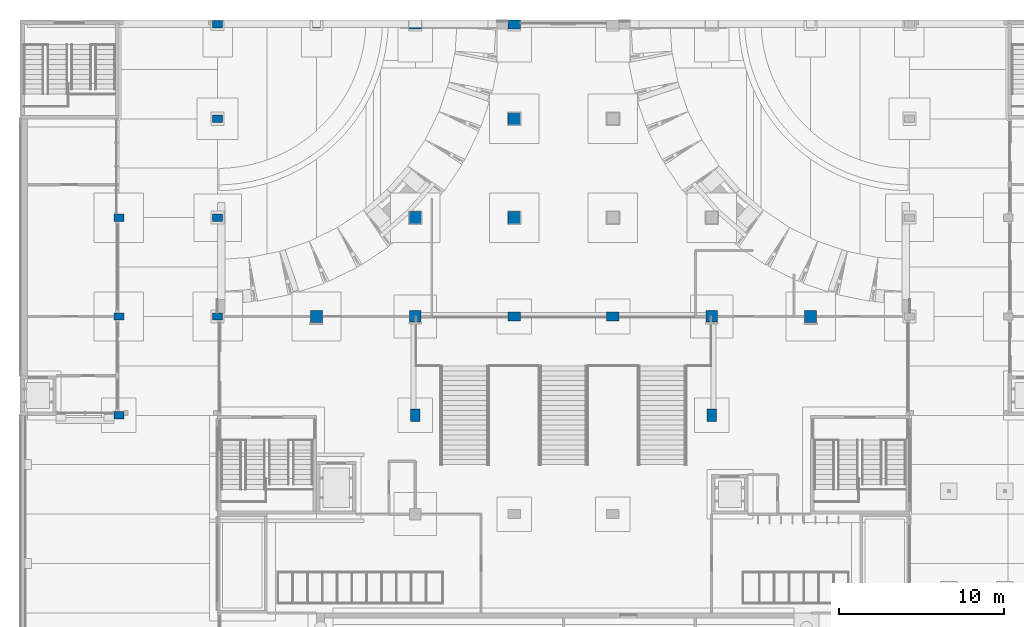
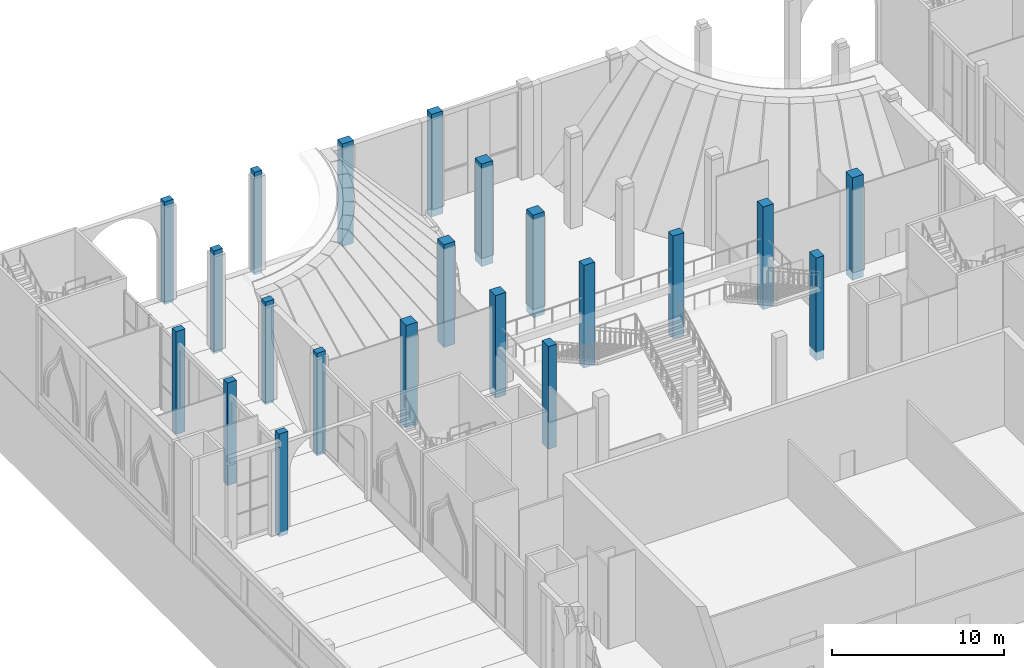
# One storey, part 16 of 95: 21 columns.
"""IFC4 building model written with IfcOpenShell, lengths in metres."""

from ifc_helpers import new_model, si_unit, direction, frame, origin, origin_2d, place, context, subcontext, project, spatial, rectangle, extrude, material, material_profile, profile_set, type_object, element, save


model = new_model("IFC4")

# Units and contexts
model_context = context("Model", 3, precision=1e-05, world=origin(), true_north=direction((0.0, 1.0)))
body_context = subcontext(model_context, "Body", "Model", "MODEL_VIEW")
ifc_project = project(units=[si_unit("LENGTHUNIT", "METRE"), si_unit("AREAUNIT", "SQUARE_METRE"), si_unit("VOLUMEUNIT", "CUBIC_METRE"), si_unit("PLANEANGLEUNIT", "RADIAN"), si_unit("MASSUNIT", "GRAM", prefix="KILO")], contexts=[model_context])

# Site, building, storey
site_placement = place(None, origin())
site = spatial("IfcSite", under=ifc_project, at=site_placement, CompositionType="ELEMENT")
building_placement = place(site_placement, origin())
building = spatial("IfcBuilding", under=site, at=building_placement, Name="Saffron Lane Theatres", CompositionType="ELEMENT")
storey_placement = place(building_placement, origin())
storey = spatial("IfcBuildingStorey", under=building, at=storey_placement, Name="L00", CompositionType="ELEMENT", Elevation=0.0)

# Columns
ifc_material_1 = material(Name="Concrete N50 (50 MPa)", Category="concrete")
ifc_material_profile_1 = material_profile(ifc_material_1, rectangle(XDim=0.5, YDim=0.5, at=origin_2d()))
ifc_profile_set_1 = profile_set([ifc_material_profile_1], Name="Concrete N50 (50 MPa)")
column_type_1 = type_object("IfcColumnType", Name="RC-COL 500x500", PredefinedType="COLUMN", material=ifc_profile_set_1)
column_placement = place(storey_placement, frame((18.0, 125.74951171875, -0.300048828125), z_axis=(0.0, 0.0, 1.0), x_axis=(1.0, 0.0, 0.0)))
element("IfcColumn", 1, at=column_placement, inside=storey, type_object=column_type_1, Name="col-L00-D22", PredefinedType="COLUMN", context=body_context, shape_type="SweptSolid", body=[
    extrude(rectangle(XDim=0.5, YDim=0.5, at=origin_2d()), origin(), (0.0, 0.0, 1.0), 7.300048828125),
])
ifc_material_2 = material(Name="Concrete N50 (50 MPa)", Category="concrete")
ifc_material_profile_2 = material_profile(ifc_material_2, rectangle(XDim=0.550048828125, YDim=0.75, at=origin_2d()))
ifc_profile_set_2 = profile_set([ifc_material_profile_2], Name="Concrete N50 (50 MPa)")
column_type_2 = type_object("IfcColumnType", Name="RC-COL 550x750", PredefinedType="COLUMN", material=ifc_profile_set_2)
for number, where, z_axis, x_axis, name in (
    (2, (24.0, 102.0, -0.300048828125), (0.0, 0.0, 1.0), (1.0, 0.0, 0.0), "col-L00-E18"),
    (3, (42.0, 102.0, -0.300048828125), (0.0, 0.0, 1.0), (1.0, 0.0, 0.0), "col-L00-H18"),
):
    element("IfcColumn", number, at=place(storey_placement, frame(where, z_axis=z_axis, x_axis=x_axis)), inside=storey, type_object=column_type_2, Name=name, PredefinedType="COLUMN", context=body_context, shape_type="SweptSolid", body=[
        extrude(rectangle(XDim=0.550048828125, YDim=0.75, at=origin_2d()), origin(), (0.0, 0.0, 1.0), 7.300048828125),
    ])
ifc_material_3 = material(Name="Concrete N50 (50 MPa)", Category="concrete")
ifc_material_profile_3 = material_profile(ifc_material_3, rectangle(XDim=0.60009765625, YDim=0.449951171875, at=origin_2d()))
ifc_profile_set_3 = profile_set([ifc_material_profile_3], Name="Concrete N50 (50 MPa)")
column_type_3 = type_object("IfcColumnType", Name="RC-COL 600x450", PredefinedType="COLUMN", material=ifc_profile_set_3)
for number, where, z_axis, x_axis, name in (
    (4, (6.0, 102.0, -0.300048828125), (0.0, 0.0, 1.0), (1.0, 0.0, 0.0), "col-L00-B18"),
    (5, (6.0, 108.0, -0.300048828125), (0.0, 0.0, 1.0), (1.0, 0.0, 0.0), "col-L00-B19"),
    (6, (12.0, 108.0, -0.300048828125), (0.0, 0.0, 1.0), (1.0, 0.0, 0.0), "col-L00-C19"),
    (7, (6.0, 114.0, -0.300048828125), (0.0, 0.0, 1.0), (1.0, 0.0, 0.0), "col-L00-B20"),
    (8, (12.0, 114.0, -0.300048828125), (0.0, 0.0, 1.0), (1.0, 0.0, 0.0), "col-L00-C20"),
    (9, (12.0, 120.0, -0.300048828125), (0.0, 0.0, 1.0), (1.0, 0.0, 0.0), "col-L00-C21"),
    (10, (12.0, 125.74951171875, -0.300048828125), (0.0, 0.0, 1.0), (1.0, 0.0, 0.0), "col-L00-C22"),
):
    element("IfcColumn", number, at=place(storey_placement, frame(where, z_axis=z_axis, x_axis=x_axis)), inside=storey, type_object=column_type_3, Name=name, PredefinedType="COLUMN", context=body_context, shape_type="SweptSolid", body=[
        extrude(rectangle(XDim=0.60009765625, YDim=0.449951171875, at=origin_2d()), origin(), (0.0, 0.0, 1.0), 7.300048828125),
    ])
ifc_material_4 = material(Name="Concrete N50 (50 MPa)", Category="concrete")
ifc_material_profile_4 = material_profile(ifc_material_4, rectangle(XDim=0.699951171875, YDim=0.699951171875, at=origin_2d()))
ifc_profile_set_4 = profile_set([ifc_material_profile_4], Name="Concrete N50 (50 MPa)")
column_type_4 = type_object("IfcColumnType", Name="RC-COL 700x700", PredefinedType="COLUMN", material=ifc_profile_set_4)
for number, where, z_axis, x_axis, name in (
    (11, (24.0, 108.0, -0.300048828125), (0.0, 0.0, 1.0), (1.0, 0.0, 0.0), "col-L00-E19"),
    (12, (42.0, 108.0, -0.300048828125), (0.0, 0.0, 1.0), (1.0, 0.0, 0.0), "col-L00-H19"),
):
    element("IfcColumn", number, at=place(storey_placement, frame(where, z_axis=z_axis, x_axis=x_axis)), inside=storey, type_object=column_type_4, Name=name, PredefinedType="COLUMN", context=body_context, shape_type="SweptSolid", body=[
        extrude(rectangle(XDim=0.699951171875, YDim=0.699951171875, at=origin_2d()), origin(), (0.0, 0.0, 1.0), 7.300048828125),
    ])
ifc_material_5 = material(Name="Concrete N50 (50 MPa)", Category="concrete")
ifc_material_profile_5 = material_profile(ifc_material_5, rectangle(XDim=0.75, YDim=0.550048828125, at=origin_2d()))
ifc_profile_set_5 = profile_set([ifc_material_profile_5], Name="Concrete N50 (50 MPa)")
column_type_5 = type_object("IfcColumnType", Name="RC-COL 750x550", PredefinedType="COLUMN", material=ifc_profile_set_5)
for number, where, z_axis, x_axis, name in (
    (13, (30.0, 108.0, -0.300048828125), (0.0, 0.0, 1.0), (1.0, 0.0, 0.0), "col-L00-F19"),
    (14, (36.0, 108.0, -0.300048828125), (0.0, 0.0, 1.0), (1.0, 0.0, 0.0), "col-L00-G19"),
    (15, (24.0, 125.724609375, -0.300048828125), (0.0, 0.0, 1.0), (1.0, 0.0, 0.0), "col-L00-E22"),
    (16, (30.0, 125.724609375, -0.300048828125), (0.0, 0.0, 1.0), (1.0, 0.0, 0.0), "col-L00-F22"),
):
    element("IfcColumn", number, at=place(storey_placement, frame(where, z_axis=z_axis, x_axis=x_axis)), inside=storey, type_object=column_type_5, Name=name, PredefinedType="COLUMN", context=body_context, shape_type="SweptSolid", body=[
        extrude(rectangle(XDim=0.75, YDim=0.550048828125, at=origin_2d()), origin(), (0.0, 0.0, 1.0), 7.300048828125),
    ])
ifc_material_6 = material(Name="Concrete N50 (50 MPa)", Category="concrete")
ifc_material_profile_6 = material_profile(ifc_material_6, rectangle(XDim=0.75, YDim=0.75, at=origin_2d()))
ifc_profile_set_6 = profile_set([ifc_material_profile_6], Name="Concrete N50 (50 MPa)")
column_type_6 = type_object("IfcColumnType", Name="RC-COL 750x750", PredefinedType="COLUMN", material=ifc_profile_set_6)
for number, where, z_axis, x_axis, name in (
    (17, (18.0, 108.0, -0.300048828125), (0.0, 0.0, 1.0), (1.0, 0.0, 0.0), "col-L00-D19"),
    (18, (48.0, 108.0, -0.300048828125), (0.0, 0.0, 1.0), (1.0, 0.0, 0.0), "col-L00-J19"),
    (19, (24.0, 114.0, -0.300048828125), (0.0, 0.0, 1.0), (1.0, 0.0, 0.0), "col-L00-E20"),
    (20, (30.0, 114.0, -0.300048828125), (0.0, 0.0, 1.0), (1.0, 0.0, 0.0), "col-L00-F20"),
    (21, (30.0, 120.0, -0.300048828125), (0.0, 0.0, 1.0), (1.0, 0.0, 0.0), "col-L00-F21"),
):
    element("IfcColumn", number, at=place(storey_placement, frame(where, z_axis=z_axis, x_axis=x_axis)), inside=storey, type_object=column_type_6, Name=name, PredefinedType="COLUMN", context=body_context, shape_type="SweptSolid", body=[
        extrude(rectangle(XDim=0.75, YDim=0.75, at=origin_2d()), origin(), (0.0, 0.0, 1.0), 7.300048828125),
    ])

save(model, "model.ifc")
